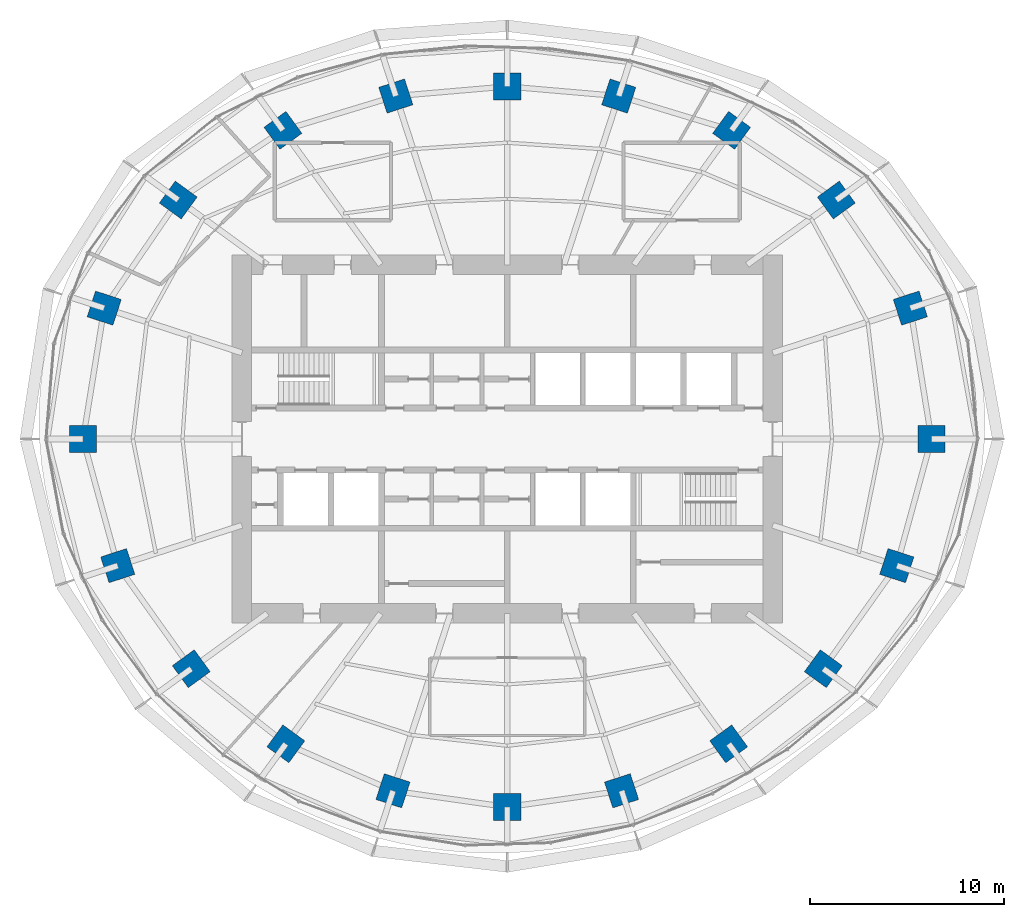
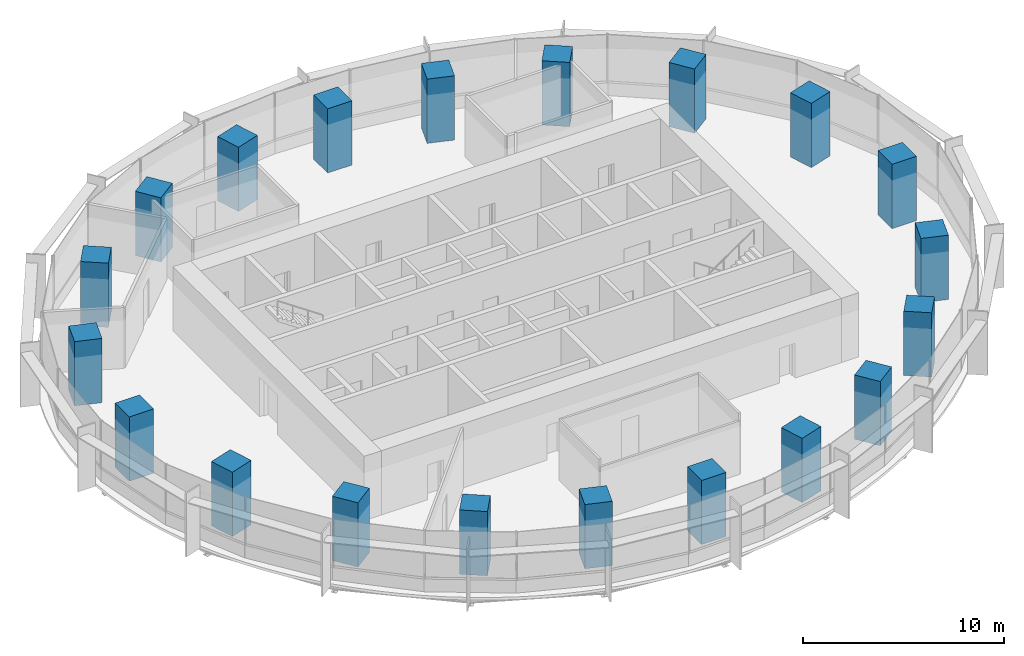
# One storey, part 1 of 14: 20 columns.
"""IFC4 building model written with IfcOpenShell, lengths in metres."""

from ifc_helpers import new_model, si_unit, direction, frame, origin, origin_2d, place, context, subcontext, project, spatial, rectangle, extrude, material, material_profile, profile_set, type_object, element, save


model = new_model("IFC4")

# Units and contexts
model_context = context("Model", 3, precision=1e-05, world=origin(), true_north=direction((0.0, 1.0)))
body_context = subcontext(model_context, "Body", "Model", "MODEL_VIEW")
ifc_project = project(units=[si_unit("LENGTHUNIT", "METRE"), si_unit("AREAUNIT", "SQUARE_METRE"), si_unit("VOLUMEUNIT", "CUBIC_METRE"), si_unit("PLANEANGLEUNIT", "RADIAN"), si_unit("MASSUNIT", "GRAM", prefix="KILO")], contexts=[model_context])

# Site, building, storey
site_placement = place(None, origin())
site = spatial("IfcSite", under=ifc_project, at=site_placement, CompositionType="ELEMENT")
building_placement = place(site_placement, origin())
building = spatial("IfcBuilding", under=site, at=building_placement, Name="Marramba Exchange Tower", CompositionType="ELEMENT")
storey_placement = place(building_placement, frame((0.0, 0.0, 242.300048828125)))
storey = spatial("IfcBuildingStorey", under=building, at=storey_placement, Name="L59", CompositionType="ELEMENT", Elevation=242.300048828125)

# Columns
ifc_material = material(Name="Concrete N50", Category="concrete")
ifc_material_profile = material_profile(ifc_material, rectangle(XDim=1.39990234375, YDim=1.39990234375, at=origin_2d()), Name="RC 1400x1400")
ifc_profile_set = profile_set([ifc_material_profile], Name="Concrete N50")
column_type = type_object("IfcColumnType", Name="Perimeter column RC 1400x1400 N50", PredefinedType="COLUMN", material=ifc_profile_set)
for number, where, z_axis, x_axis, name in (
    (1, (21.89990234375, 0.0, 0.0), (0.0, 0.0, 1.0), (1.0, 0.0, 0.0), "Column TC01 L59"),
    (2, (20.808349609375, 6.760986328125, 0.0), (0.0, 0.0, 1.0), (0.951056516295, 0.309016994375, 0.0), "Column TC02 L59"),
    (3, (16.98583984375, 12.3408203125, 0.0), (0.0, 0.0, 1.0), (0.809016994375, 0.587785252292, 0.0), "Column TC03 L59"),
    (4, (11.581298828125, 15.9404296875, 0.0), (0.0, 0.0, 1.0), (0.587785252292, 0.809016994375, 0.0), "Column TC04 L59"),
    (5, (5.75390625, 17.70849609375, 0.0), (0.0, 0.0, 1.0), (0.309016994375, 0.951056516295, 0.0), "Column TC05 L59"),
    (6, (0.0, 18.2041015625, 0.0), (0.0, 0.0, 1.0), (0.0, 1.0, 0.0), "Column TC06 L59"),
    (7, (-5.75390625, 17.70849609375, 0.0), (0.0, 0.0, 1.0), (-0.309016994375, 0.951056516295, 0.0), "Column TC07 L59"),
    (8, (-11.581298828125, 15.9404296875, 0.0), (0.0, 0.0, 1.0), (-0.587785252292, 0.809016994375, 0.0), "Column TC08 L59"),
    (9, (-16.98583984375, 12.3408203125, 0.0), (0.0, 0.0, 1.0), (-0.809016994375, 0.587785252292, 0.0), "Column TC09 L59"),
    (10, (-20.808349609375, 6.760986328125, 0.0), (0.0, 0.0, 1.0), (-0.951056516295, 0.309016994375, 0.0), "Column TC10 L59"),
    (11, (-21.89990234375, 0.0, 0.0), (0.0, 0.0, 1.0), (-1.0, 0.0, 0.0), "Column TC11 L59"),
    (12, (-20.109375, -6.533935546875, 0.0), (0.0, 0.0, 1.0), (-0.951056516295, -0.309016994375, 0.0), "Column TC12 L59"),
    (13, (-16.3154296875, -11.853759765625, 0.0), (0.0, 0.0, 1.0), (-0.809016994375, -0.587785252292, 0.0), "Column TC13 L59"),
    (14, (-11.430419921875, -15.732666015625, 0.0), (0.0, 0.0, 1.0), (-0.587785252292, -0.809016994375, 0.0), "Column TC14 L59"),
    (15, (-5.899658203125, -18.156982421875, 0.0), (0.0, 0.0, 1.0), (-0.309016994375, -0.951056516295, 0.0), "Column TC15 L59"),
    (16, (0.0, -18.99609375, 0.0), (0.0, 0.0, 1.0), (0.0, -1.0, 0.0), "Column TC16 L59"),
    (17, (5.899658203125, -18.156982421875, 0.0), (0.0, 0.0, 1.0), (0.309016994375, -0.951056516295, 0.0), "Column TC17 L59"),
    (18, (11.430419921875, -15.732666015625, 0.0), (0.0, 0.0, 1.0), (0.587785252292, -0.809016994375, 0.0), "Column TC18 L59"),
    (19, (16.3154296875, -11.853759765625, 0.0), (0.0, 0.0, 1.0), (0.809016994375, -0.587785252292, 0.0), "Column TC19 L59"),
    (20, (20.109375, -6.533935546875, 0.0), (0.0, 0.0, 1.0), (0.951056516295, -0.309016994375, 0.0), "Column TC20 L59"),
):
    element("IfcColumn", number, at=place(storey_placement, frame(where, z_axis=z_axis, x_axis=x_axis)), inside=storey, type_object=column_type, Name=name, PredefinedType="COLUMN", context=body_context, shape_type="SweptSolid", body=[
        extrude(rectangle(XDim=1.39990234375, YDim=1.39990234375, at=origin_2d()), origin(), (0.0, 0.0, 1.0), 3.89990234375),
    ])

save(model, "model.ifc")
